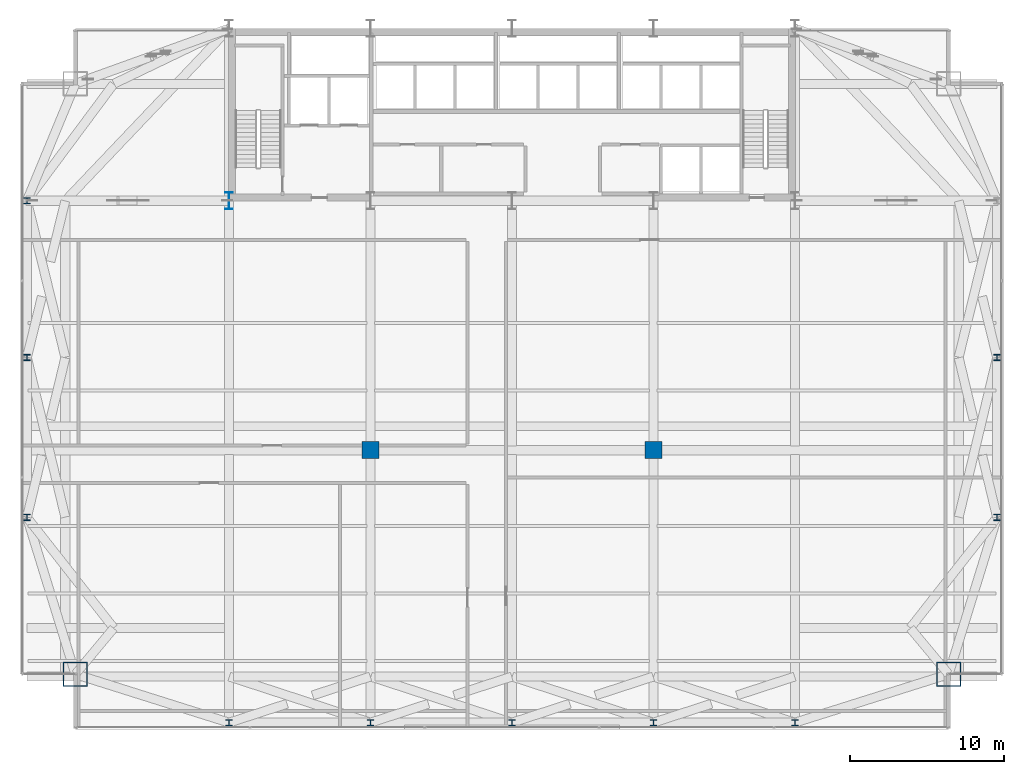
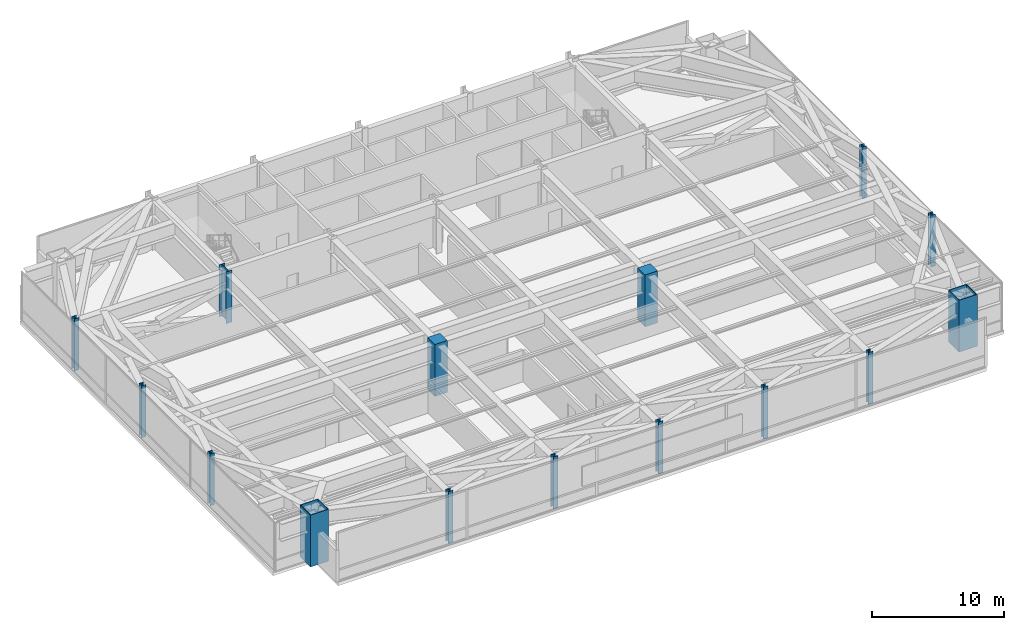
# One storey, part 1 of 30: 15 columns.
"""IFC4 building model written with IfcOpenShell, lengths in metres."""

from ifc_helpers import new_model, si_unit, direction, frame, origin, origin_2d, place, context, subcontext, project, spatial, rectangle, hollow_rectangle, i_section, extrude, source, transform, mapped, material, material_profile, profile_set, type_object, type_shapes, element, save


model = new_model("IFC4")

# Units and contexts
model_context = context("Model", 3, precision=1e-05, world=origin(), true_north=direction((0.0, 1.0)))
body_context = subcontext(model_context, "Body", "Model", "MODEL_VIEW")
ifc_project = project(units=[si_unit("LENGTHUNIT", "METRE"), si_unit("AREAUNIT", "SQUARE_METRE"), si_unit("VOLUMEUNIT", "CUBIC_METRE"), si_unit("PLANEANGLEUNIT", "RADIAN"), si_unit("MASSUNIT", "GRAM", prefix="KILO")], contexts=[model_context])

# Site, building, storey
site_placement = place(None, origin())
site = spatial("IfcSite", under=ifc_project, at=site_placement, CompositionType="ELEMENT")
building_placement = place(site_placement, origin())
building = spatial("IfcBuilding", under=site, at=building_placement, Name="Varnel Quay Broadcast Tower", CompositionType="ELEMENT")
storey_placement = place(building_placement, frame((0.0, 0.0, 82.199951171875)))
storey = spatial("IfcBuildingStorey", under=building, at=storey_placement, Name="L19", CompositionType="ELEMENT", Elevation=82.199951171875)

# Columns
ifc_material_1 = material(Name="Structural Steel CSA G40.21 350WT", Category="steel")
ifc_material_profile_1 = material_profile(ifc_material_1, i_section(OverallWidth=0.5, OverallDepth=1.10009765625, WebThickness=0.01806640625, FlangeThickness=0.031982421875, FilletRadius=0.01806640625, at=origin_2d()), Name="WWF1100X418")
ifc_profile_set_1 = profile_set([ifc_material_profile_1], Name="Structural Steel CSA G40.21 350WT")
column_type_1 = type_object("IfcColumnType", Name="Col_WWF1100X418", PredefinedType="COLUMN", material=ifc_profile_set_1)
shared_shape_1 = source(origin(), body_context, "Body", "SweptSolid", [
    extrude(i_section(OverallWidth=0.5, OverallDepth=1.10009765625, WebThickness=0.01806640625, FlangeThickness=0.031982421875, FilletRadius=0.01806640625, at=origin_2d()), origin(), (0.0, 0.0, 1.0), 4.800048828125),
])
type_shapes(column_type_1, [shared_shape_1])
column_placement = place(storey_placement, frame((15.60009765625, 35.60009765625, 0.0), z_axis=(0.0, 0.0, 1.0), x_axis=(1.0, 0.0, 0.0)))
element("IfcColumn", 1, at=column_placement, inside=storey, type_object=column_type_1, Name="L19 Column CC-S1", PredefinedType="COLUMN", context=body_context, shape_type="MappedRepresentation", body=[
    mapped(shared_shape_1, transform((0.0, 0.0, 0.0), x_axis=(1.0, 0.0, 0.0), y_axis=(0.0, 1.0, 0.0), z_axis=(0.0, 0.0, 1.0), scale=1.0)),
])
ifc_material_profile_2 = material_profile(ifc_material_1, hollow_rectangle(XDim=1.60009765625, YDim=1.60009765625, WallThickness=0.06005859375, at=origin_2d()), Name="BOX1600X1600X60")
ifc_profile_set_2 = profile_set([ifc_material_profile_2], Name="Structural Steel CSA G40.21 350WT")
column_type_2 = type_object("IfcColumnType", Name="Col_BOX1600X1600X60", PredefinedType="COLUMN", material=ifc_profile_set_2)
shared_shape_2 = source(origin(), body_context, "Body", "SweptSolid", [
    extrude(hollow_rectangle(XDim=1.60009765625, YDim=1.60009765625, WallThickness=0.06005859375, at=origin_2d()), origin(), (0.0, 0.0, 1.0), 4.800048828125),
])
type_shapes(column_type_2, [shared_shape_2])
for number, where, z_axis, x_axis, name in (
    (2, (5.60009765625, 4.800048828125, 0.0), (0.0, 0.0, 1.0), (1.0, 0.0, 0.0), "L19 Column MC-SW"),
    (3, (62.39990234375, 4.800048828125, 0.0), (0.0, 0.0, 1.0), (1.0, 0.0, 0.0), "L19 Column MC-SE"),
):
    element("IfcColumn", number, at=place(storey_placement, frame(where, z_axis=z_axis, x_axis=x_axis)), inside=storey, type_object=column_type_2, Name=name, PredefinedType="COLUMN", context=body_context, shape_type="MappedRepresentation", body=[
        mapped(shared_shape_2, transform((0.0, 0.0, 0.0), x_axis=(1.0, 0.0, 0.0), y_axis=(0.0, 1.0, 0.0), z_axis=(0.0, 0.0, 1.0), scale=1.0)),
    ])
ifc_material_2 = material(Name="Structural Steel CSA G40.21 350W", Category="steel")
ifc_material_profile_3 = material_profile(ifc_material_2, i_section(OverallWidth=0.404052734375, OverallDepth=0.406982421875, WebThickness=0.027099609375, FlangeThickness=0.043701171875, FilletRadius=0.01806640625, at=origin_2d()), Name="W360X347")
ifc_profile_set_3 = profile_set([ifc_material_profile_3], Name="Structural Steel CSA G40.21 350W")
column_type_3 = type_object("IfcColumnType", Name="Col_W360X347", PredefinedType="COLUMN", material=ifc_profile_set_3)
shared_shape_3 = source(origin(), body_context, "Body", "SweptSolid", [
    extrude(i_section(OverallWidth=0.404052734375, OverallDepth=0.406982421875, WebThickness=0.027099609375, FlangeThickness=0.043701171875, FilletRadius=0.01806640625, at=origin_2d()), origin(), (0.0, 0.0, 1.0), 4.800048828125),
])
type_shapes(column_type_3, [shared_shape_3])
for number, where, z_axis, x_axis, name in (
    (4, (15.60009765625, 1.64990234375, 0.0), (0.0, 0.0, 1.0), (1.0, 0.0, 0.0), "L19 Column TC-S1"),
    (5, (24.800048828125, 1.64990234375, 0.0), (0.0, 0.0, 1.0), (1.0, 0.0, 0.0), "L19 Column TC-S2"),
    (6, (34.0, 1.64990234375, 0.0), (0.0, 0.0, 1.0), (1.0, 0.0, 0.0), "L19 Column TC-S3"),
    (7, (43.199951171875, 1.64990234375, 0.0), (0.0, 0.0, 1.0), (1.0, 0.0, 0.0), "L19 Column TC-S4"),
    (8, (52.39990234375, 1.64990234375, 0.0), (0.0, 0.0, 1.0), (1.0, 0.0, 0.0), "L19 Column TC-S5"),
    (9, (2.449951171875, 15.0, 0.0), (0.0, 0.0, 1.0), (1.0, 0.0, 0.0), "L19 Column TC-W1"),
    (10, (65.550048828125, 15.0, 0.0), (0.0, 0.0, 1.0), (1.0, 0.0, 0.0), "L19 Column TC-E1"),
    (11, (2.449951171875, 25.39990234375, 0.0), (0.0, 0.0, 1.0), (1.0, 0.0, 0.0), "L19 Column TC-W2"),
    (12, (65.550048828125, 25.39990234375, 0.0), (0.0, 0.0, 1.0), (1.0, 0.0, 0.0), "L19 Column TC-E2"),
    (13, (2.449951171875, 35.60009765625, 0.0), (0.0, 0.0, 1.0), (1.0, 0.0, 0.0), "L19 Column TC-W3"),
):
    element("IfcColumn", number, at=place(storey_placement, frame(where, z_axis=z_axis, x_axis=x_axis)), inside=storey, type_object=column_type_3, Name=name, PredefinedType="COLUMN", context=body_context, shape_type="MappedRepresentation", body=[
        mapped(shared_shape_3, transform((0.0, 0.0, 0.0), x_axis=(1.0, 0.0, 0.0), y_axis=(0.0, 1.0, 0.0), z_axis=(0.0, 0.0, 1.0), scale=1.0)),
    ])
ifc_material_3 = material(Name="Concrete CSA A23.3 C60/75", Category="concrete")
ifc_material_profile_4 = material_profile(ifc_material_3, rectangle(XDim=1.10009765625, YDim=1.10009765625, at=origin_2d()), Name="RC1100X1100")
ifc_profile_set_4 = profile_set([ifc_material_profile_4], Name="Concrete CSA A23.3 C60/75")
column_type_4 = type_object("IfcColumnType", Name="Col_RC1100X1100", PredefinedType="COLUMN", material=ifc_profile_set_4)
shared_shape_4 = source(origin(), body_context, "Body", "SweptSolid", [
    extrude(rectangle(XDim=1.10009765625, YDim=1.10009765625, at=origin_2d()), origin(), (0.0, 0.0, 1.0), 4.800048828125),
])
type_shapes(column_type_4, [shared_shape_4])
for number, where, z_axis, x_axis, name in (
    (14, (24.800048828125, 19.3701171875, 0.0), (0.0, 0.0, 1.0), (1.0, 0.0, 0.0), "L19 Column IC-01"),
    (15, (43.199951171875, 19.3701171875, 0.0), (0.0, 0.0, 1.0), (1.0, 0.0, 0.0), "L19 Column IC-02"),
):
    element("IfcColumn", number, at=place(storey_placement, frame(where, z_axis=z_axis, x_axis=x_axis)), inside=storey, type_object=column_type_4, Name=name, PredefinedType="COLUMN", context=body_context, shape_type="MappedRepresentation", body=[
        mapped(shared_shape_4, transform((0.0, 0.0, 0.0), x_axis=(1.0, 0.0, 0.0), y_axis=(0.0, 1.0, 0.0), z_axis=(0.0, 0.0, 1.0), scale=1.0)),
    ])

save(model, "model.ifc")
